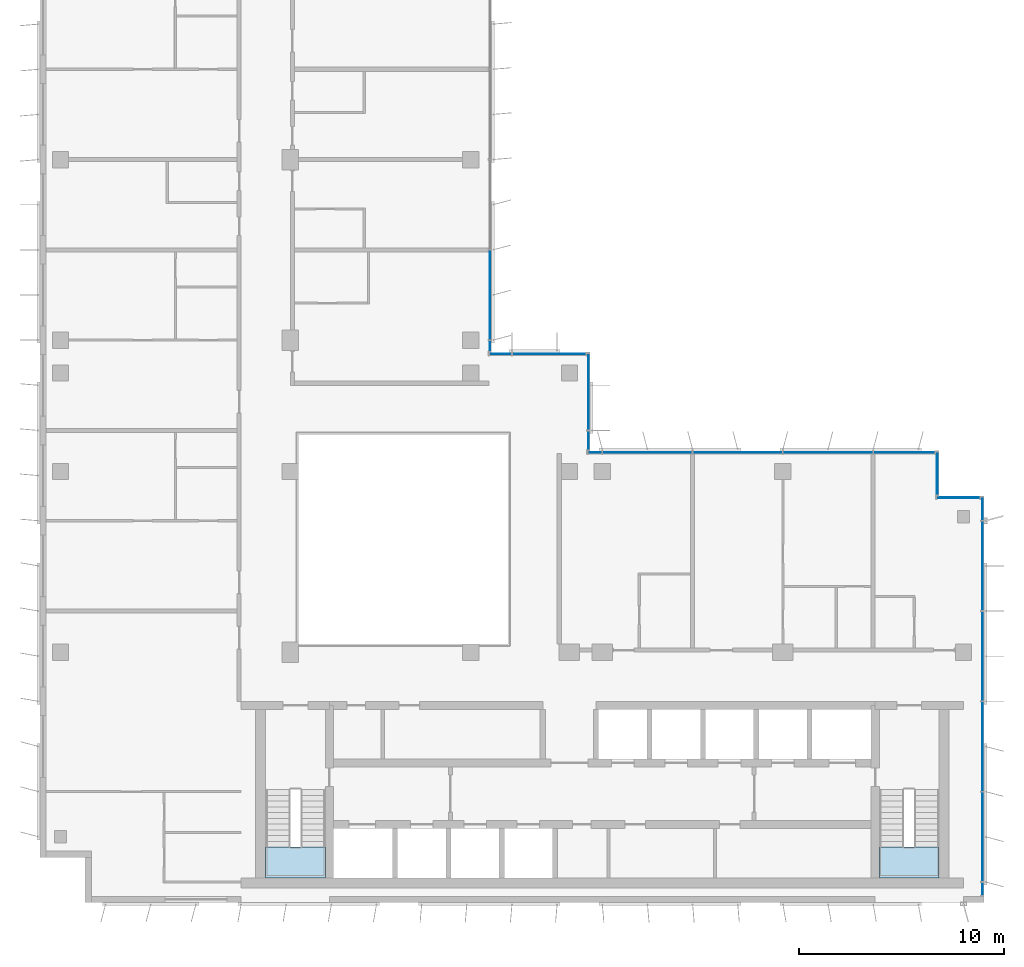
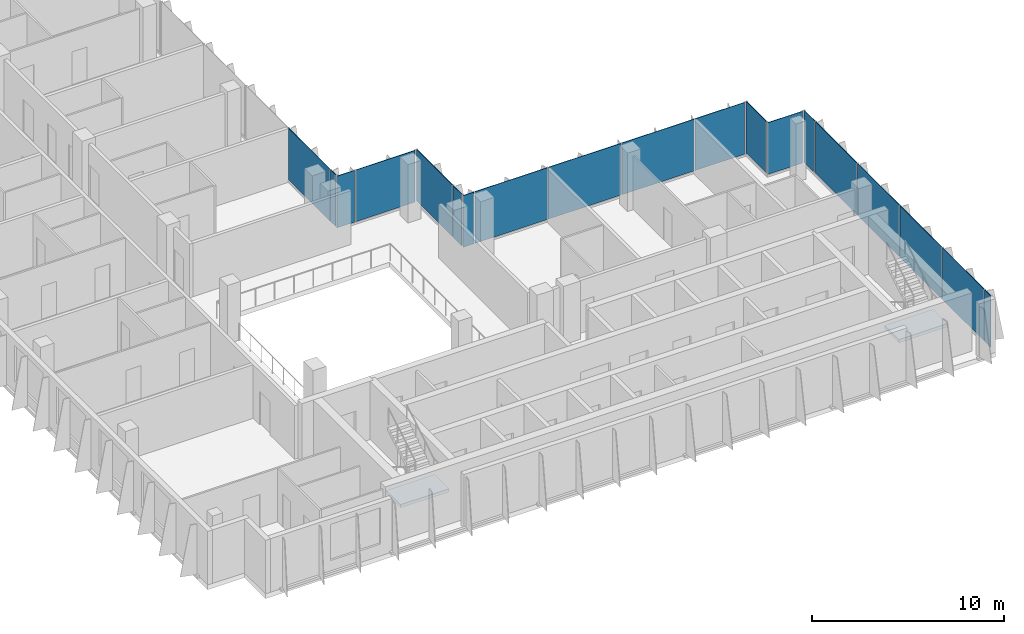
# One storey, part 7 of 16: 19 plates, 2 slabs, 9 elements without a shape of their own.
"""IFC4 building model written with IfcOpenShell, lengths in metres."""

from ifc_helpers import new_model, si_unit, direction, frame, origin, origin_2d, place, context, subcontext, project, spatial, polyline, rectangle, outline, extrude, source, transform, mapped, material, layer, layer_set, type_object, element, aggregate, save


model = new_model("IFC4")

# Units and contexts
model_context = context("Model", 3, precision=1e-05, world=origin(), true_north=direction((0.0, 1.0)))
body_context = subcontext(model_context, "Body", "Model", "MODEL_VIEW")
ifc_project = project(units=[si_unit("LENGTHUNIT", "METRE"), si_unit("AREAUNIT", "SQUARE_METRE"), si_unit("VOLUMEUNIT", "CUBIC_METRE"), si_unit("PLANEANGLEUNIT", "RADIAN"), si_unit("MASSUNIT", "GRAM", prefix="KILO")], contexts=[model_context])

# Site, building, storey
site_placement = place(None, origin())
site = spatial("IfcSite", under=ifc_project, at=site_placement, CompositionType="ELEMENT")
building_placement = place(site_placement, origin())
building = spatial("IfcBuilding", under=site, at=building_placement, Name="Kemantara Hotel Tower", CompositionType="ELEMENT")
storey_placement = place(building_placement, frame((0.0, 0.0, 283.300048828125)))
storey = spatial("IfcBuildingStorey", under=building, at=storey_placement, Name="L71", CompositionType="ELEMENT", Elevation=283.300048828125)

# Stair, slab
ifc_material_1 = material(Name="Concrete fc 40 MPa", Category="concrete")
stair_type = type_object("IfcStairType", Name="Stair 1200 wide 22 risers of 168 x 280 mm", PredefinedType="HALF_TURN_STAIR", material=ifc_material_1)
stair_1_placement = place(storey_placement, origin())
stair_1 = element("IfcStair", 1, at=stair_1_placement, inside=storey, type_object=stair_type, Name="L71 Exit stair ST1", PredefinedType="HALF_TURN_STAIR")
ifc_layer_1 = layer(ifc_material_1, 0.199951171875)
ifc_layer_set_1 = layer_set([ifc_layer_1], Name="Concrete fc 40 MPa")
slab_type = type_object("IfcSlabType", Name="Stair landing 200 mm", PredefinedType="LANDING", material=ifc_layer_set_1)
slab_1_placement = place(storey_placement, frame((0.0, 0.0, 1.64990234375)))
slab_1 = element("IfcSlab", 2, at=slab_1_placement, type_object=slab_type, Name="ST1 landing 1", PredefinedType="LANDING", context=body_context, shape_type="SweptSolid", body=[
    extrude(outline(polyline([(11.0, 2.699951171875), (11.0, 1.199951171875), (13.89990234375, 1.199951171875), (13.89990234375, 2.699951171875), (11.0, 2.699951171875)])), origin(), (0.0, 0.0, 1.0), 0.199951171875),
])
aggregate(stair_1, [slab_1])

stair_2_placement = place(storey_placement, origin())
stair_2 = element("IfcStair", 3, at=stair_2_placement, inside=storey, type_object=stair_type, Name="L71 Exit stair ST2", PredefinedType="HALF_TURN_STAIR")
slab_2_placement = place(storey_placement, frame((0.0, 0.0, 1.64990234375)))
slab_2 = element("IfcSlab", 4, at=slab_2_placement, type_object=slab_type, Name="ST2 landing 1", PredefinedType="LANDING", context=body_context, shape_type="SweptSolid", body=[
    extrude(outline(polyline([(40.89990234375, 2.699951171875), (40.89990234375, 1.199951171875), (43.800048828125, 1.199951171875), (43.800048828125, 2.699951171875), (40.89990234375, 2.699951171875)])), origin(), (0.0, 0.0, 1.0), 0.199951171875),
])
aggregate(stair_2, [slab_2])

# Curtain wall, plates
ifc_material_2 = material(Name="Low-E tinted double insulated glass 36 mm", Category="glass")
curtain_wall_type = type_object("IfcCurtainWallType", Name="TOWER CURTAIN WALL, FRONT FACES", PredefinedType="USERDEFINED", material=ifc_material_2)
curtain_wall_1_placement = place(storey_placement, origin())
curtain_wall_1 = element("IfcCurtainWall", 5, at=curtain_wall_1_placement, inside=storey, type_object=curtain_wall_type, Name="CW4 L71 T4-R09-1", ObjectType="TOWER CURTAIN WALL, FRONT FACES", PredefinedType="USERDEFINED")
ifc_layer_2 = layer(ifc_material_2, 0.035888671875)
ifc_layer_set_2 = layer_set([ifc_layer_2], Name="Low-E tinted double insulated glass 36 mm")
plate_type = type_object("IfcPlateType", Name="TOWER CURTAIN WALL, FRONT FACES PANEL", PredefinedType="CURTAIN_PANEL", material=ifc_layer_set_2)
shared_shape_1 = source(origin(), body_context, "Body", "SweptSolid", [
    extrude(rectangle(XDim=4.340087890625, YDim=0.035888671875, at=origin_2d()), origin(), (0.0, 0.0, 1.0), 3.280029296875),
])
plate_1_placement = place(storey_placement, frame((45.925048828125, 3.199951171875, 0.1201171875), z_axis=(0.0, 0.0, 1.0), x_axis=(0.0, 1.0, 0.0)))
plate_1 = element("IfcPlate", 6, at=plate_1_placement, type_object=plate_type, Name="CW4 glass panel T4-R09-1.2", PredefinedType="CURTAIN_PANEL", context=body_context, shape_type="MappedRepresentation", body=[
    mapped(shared_shape_1, transform((0.0, 0.0, 0.0))),
])
plate_2_placement = place(storey_placement, frame((45.925048828125, 7.60009765625, 0.1201171875), z_axis=(0.0, 0.0, 1.0), x_axis=(0.0, 1.0, 0.0)))
plate_2 = element("IfcPlate", 7, at=plate_2_placement, type_object=plate_type, Name="CW4 glass panel T4-R09-1.3", PredefinedType="CURTAIN_PANEL", context=body_context, shape_type="MappedRepresentation", body=[
    mapped(shared_shape_1, transform((0.0, 0.0, 0.0))),
])
plate_3_placement = place(storey_placement, frame((45.925048828125, 12.0, 0.1201171875), z_axis=(0.0, 0.0, 1.0), x_axis=(0.0, 1.0, 0.0)))
plate_3 = element("IfcPlate", 8, at=plate_3_placement, type_object=plate_type, Name="CW4 glass panel T4-R09-1.4", PredefinedType="CURTAIN_PANEL", context=body_context, shape_type="MappedRepresentation", body=[
    mapped(shared_shape_1, transform((0.0, 0.0, 0.0))),
])
plate_4_placement = place(storey_placement, frame((45.925048828125, 16.39990234375, 0.1201171875), z_axis=(0.0, 0.0, 1.0), x_axis=(0.0, 1.0, 0.0)))
plate_4 = element("IfcPlate", 9, at=plate_4_placement, type_object=plate_type, Name="CW4 glass panel T4-R09-1.5", PredefinedType="CURTAIN_PANEL", context=body_context, shape_type="MappedRepresentation", body=[
    mapped(shared_shape_1, transform((0.0, 0.0, 0.0))),
])

curtain_wall_2_placement = place(storey_placement, origin())
curtain_wall_2 = element("IfcCurtainWall", 10, at=curtain_wall_2_placement, inside=storey, type_object=curtain_wall_type, Name="CW4 L71 T4-R12-1", ObjectType="TOWER CURTAIN WALL, FRONT FACES", PredefinedType="USERDEFINED")
plate_5_placement = place(storey_placement, frame((38.39990234375, 21.925048828125, 0.1201171875), z_axis=(0.0, 0.0, 1.0), x_axis=(-1.0, 0.0, 0.0)))
plate_5 = element("IfcPlate", 11, at=plate_5_placement, type_object=plate_type, Name="CW4 glass panel T4-R12-1.2", PredefinedType="CURTAIN_PANEL", context=body_context, shape_type="MappedRepresentation", body=[
    mapped(shared_shape_1, transform((0.0, 0.0, 0.0))),
])
plate_6_placement = place(storey_placement, frame((34.0, 21.925048828125, 0.1201171875), z_axis=(0.0, 0.0, 1.0), x_axis=(-1.0, 0.0, 0.0)))
plate_6 = element("IfcPlate", 12, at=plate_6_placement, type_object=plate_type, Name="CW4 glass panel T4-R12-1.3", PredefinedType="CURTAIN_PANEL", context=body_context, shape_type="MappedRepresentation", body=[
    mapped(shared_shape_1, transform((0.0, 0.0, 0.0))),
])
plate_7_placement = place(storey_placement, frame((29.60009765625, 21.925048828125, 0.1201171875), z_axis=(0.0, 0.0, 1.0), x_axis=(-1.0, 0.0, 0.0)))
plate_7 = element("IfcPlate", 13, at=plate_7_placement, type_object=plate_type, Name="CW4 glass panel T4-R12-1.4", PredefinedType="CURTAIN_PANEL", context=body_context, shape_type="MappedRepresentation", body=[
    mapped(shared_shape_1, transform((0.0, 0.0, 0.0))),
])

# Curtain wall, plate
curtain_wall_3_placement = place(storey_placement, origin())
curtain_wall_3 = element("IfcCurtainWall", 14, at=curtain_wall_3_placement, inside=storey, type_object=curtain_wall_type, Name="CW4 L71 T4-R15-1", ObjectType="TOWER CURTAIN WALL, FRONT FACES", PredefinedType="USERDEFINED")
plate_8_placement = place(storey_placement, frame((21.925048828125, 29.60009765625, 0.1201171875), z_axis=(0.0, 0.0, 1.0), x_axis=(0.0, 1.0, 0.0)))
plate_8 = element("IfcPlate", 15, at=plate_8_placement, type_object=plate_type, Name="CW4 glass panel T4-R15-1.2", PredefinedType="CURTAIN_PANEL", context=body_context, shape_type="MappedRepresentation", body=[
    mapped(shared_shape_1, transform((0.0, 0.0, 0.0))),
])

curtain_wall_4_placement = place(storey_placement, origin())
curtain_wall_4 = element("IfcCurtainWall", 16, at=curtain_wall_4_placement, inside=storey, type_object=curtain_wall_type, Name="CW4 L71 T4-R10-1", ObjectType="TOWER CURTAIN WALL, FRONT FACES", PredefinedType="USERDEFINED")
shared_shape_2 = source(origin(), body_context, "Body", "SweptSolid", [
    extrude(rectangle(XDim=2.080078125, YDim=0.035888671875, at=origin_2d()), origin(), (0.0, 0.0, 1.0), 3.280029296875),
])
plate_9_placement = place(storey_placement, frame((44.75, 19.72509765625, 0.1201171875), z_axis=(0.0, 0.0, 1.0), x_axis=(-1.0, 0.0, 0.0)))
plate_9 = element("IfcPlate", 17, at=plate_9_placement, type_object=plate_type, Name="CW4 glass panel T4-R10-1.1", PredefinedType="CURTAIN_PANEL", context=body_context, shape_type="MappedRepresentation", body=[
    mapped(shared_shape_2, transform((0.0, 0.0, 0.0))),
])
aggregate(curtain_wall_4, [plate_9])

curtain_wall_5_placement = place(storey_placement, origin())
curtain_wall_5 = element("IfcCurtainWall", 18, at=curtain_wall_5_placement, inside=storey, type_object=curtain_wall_type, Name="CW4 L71 T4-R11-1", ObjectType="TOWER CURTAIN WALL, FRONT FACES", PredefinedType="USERDEFINED")
plate_10_placement = place(storey_placement, frame((43.72509765625, 20.89990234375, 0.1201171875), z_axis=(0.0, 0.0, 1.0), x_axis=(0.0, 1.0, 0.0)))
plate_10 = element("IfcPlate", 19, at=plate_10_placement, type_object=plate_type, Name="CW4 glass panel T4-R11-1.1", PredefinedType="CURTAIN_PANEL", context=body_context, shape_type="MappedRepresentation", body=[
    mapped(shared_shape_2, transform((0.0, 0.0, 0.0))),
])
aggregate(curtain_wall_5, [plate_10])

# Plate
shared_shape_3 = source(origin(), body_context, "Body", "SweptSolid", [
    extrude(rectangle(XDim=2.9599609375, YDim=0.035888671875, at=origin_2d()), origin(), (0.0, 0.0, 1.0), 3.280029296875),
])
plate_11_placement = place(storey_placement, frame((42.110107421875, 21.925048828125, 0.1201171875), z_axis=(0.0, 0.0, 1.0), x_axis=(-1.0, 0.0, 0.0)))
plate_11 = element("IfcPlate", 20, at=plate_11_placement, type_object=plate_type, Name="CW4 glass panel T4-R12-1.1", PredefinedType="CURTAIN_PANEL", context=body_context, shape_type="MappedRepresentation", body=[
    mapped(shared_shape_3, transform((0.0, 0.0, 0.0))),
])

shared_shape_4 = source(origin(), body_context, "Body", "SweptSolid", [
    extrude(rectangle(XDim=0.659912109375, YDim=0.035888671875, at=origin_2d()), origin(), (0.0, 0.0, 1.0), 3.280029296875),
])
plate_12_placement = place(storey_placement, frame((27.0400390625, 21.925048828125, 0.1201171875), z_axis=(0.0, 0.0, 1.0), x_axis=(-1.0, 0.0, 0.0)))
plate_12 = element("IfcPlate", 21, at=plate_12_placement, type_object=plate_type, Name="CW4 glass panel T4-R12-1.5", PredefinedType="CURTAIN_PANEL", context=body_context, shape_type="MappedRepresentation", body=[
    mapped(shared_shape_4, transform((0.0, 0.0, 0.0))),
])

aggregate(curtain_wall_2, [plate_11, plate_5, plate_6, plate_7, plate_12])

shared_shape_5 = source(origin(), body_context, "Body", "SweptSolid", [
    extrude(rectangle(XDim=0.510009765625, YDim=0.035888671875, at=origin_2d()), origin(), (0.0, 0.0, 1.0), 3.280029296875),
])
plate_13_placement = place(storey_placement, frame((21.925048828125, 27.114990234375, 0.1201171875), z_axis=(0.0, 0.0, 1.0), x_axis=(0.0, 1.0, 0.0)))
plate_13 = element("IfcPlate", 22, at=plate_13_placement, type_object=plate_type, Name="CW4 glass panel T4-R15-1.1", PredefinedType="CURTAIN_PANEL", context=body_context, shape_type="MappedRepresentation", body=[
    mapped(shared_shape_5, transform((0.0, 0.0, 0.0))),
])

aggregate(curtain_wall_3, [plate_13, plate_8])

# Curtain wall, plate
curtain_wall_6_placement = place(storey_placement, origin())
curtain_wall_6 = element("IfcCurtainWall", 23, at=curtain_wall_6_placement, inside=storey, type_object=curtain_wall_type, Name="CW4 L71 T4-R13-1", ObjectType="TOWER CURTAIN WALL, FRONT FACES", PredefinedType="USERDEFINED")
shared_shape_6 = source(origin(), body_context, "Body", "SweptSolid", [
    extrude(rectangle(XDim=0.909912109375, YDim=0.035888671875, at=origin_2d()), origin(), (0.0, 0.0, 1.0), 3.280029296875),
])
plate_14_placement = place(storey_placement, frame((26.72509765625, 22.514892578125, 0.1201171875), z_axis=(0.0, 0.0, 1.0), x_axis=(0.0, 1.0, 0.0)))
plate_14 = element("IfcPlate", 24, at=plate_14_placement, type_object=plate_type, Name="CW4 glass panel T4-R13-1.1", PredefinedType="CURTAIN_PANEL", context=body_context, shape_type="MappedRepresentation", body=[
    mapped(shared_shape_6, transform((0.0, 0.0, 0.0))),
])

# Plate
shared_shape_7 = source(origin(), body_context, "Body", "SweptSolid", [
    extrude(rectangle(XDim=1.110107421875, YDim=0.035888671875, at=origin_2d()), origin(), (0.0, 0.0, 1.0), 3.280029296875),
])
plate_15_placement = place(storey_placement, frame((45.925048828125, 19.18505859375, 0.1201171875), z_axis=(0.0, 0.0, 1.0), x_axis=(0.0, 1.0, 0.0)))
plate_15 = element("IfcPlate", 25, at=plate_15_placement, type_object=plate_type, Name="CW4 glass panel T4-R09-1.6", PredefinedType="CURTAIN_PANEL", context=body_context, shape_type="MappedRepresentation", body=[
    mapped(shared_shape_7, transform((0.0, 0.0, 0.0))),
])

shared_shape_8 = source(origin(), body_context, "Body", "SweptSolid", [
    extrude(rectangle(XDim=3.7099609375, YDim=0.035888671875, at=origin_2d()), origin(), (0.0, 0.0, 1.0), 3.280029296875),
])
plate_16_placement = place(storey_placement, frame((26.72509765625, 24.885009765625, 0.1201171875), z_axis=(0.0, 0.0, 1.0), x_axis=(0.0, 1.0, 0.0)))
plate_16 = element("IfcPlate", 26, at=plate_16_placement, type_object=plate_type, Name="CW4 glass panel T4-R13-1.2", PredefinedType="CURTAIN_PANEL", context=body_context, shape_type="MappedRepresentation", body=[
    mapped(shared_shape_8, transform((0.0, 0.0, 0.0))),
])

aggregate(curtain_wall_6, [plate_14, plate_16])

# Curtain wall, plates
curtain_wall_7_placement = place(storey_placement, origin())
curtain_wall_7 = element("IfcCurtainWall", 27, at=curtain_wall_7_placement, inside=storey, type_object=curtain_wall_type, Name="CW4 L71 T4-R14-1", ObjectType="TOWER CURTAIN WALL, FRONT FACES", PredefinedType="USERDEFINED")
shared_shape_9 = source(origin(), body_context, "Body", "SweptSolid", [
    extrude(rectangle(XDim=3.56005859375, YDim=0.035888671875, at=origin_2d()), origin(), (0.0, 0.0, 1.0), 3.280029296875),
])
plate_17_placement = place(storey_placement, frame((24.81005859375, 26.72509765625, 0.1201171875), z_axis=(0.0, 0.0, 1.0), x_axis=(-1.0, 0.0, 0.0)))
plate_17 = element("IfcPlate", 28, at=plate_17_placement, type_object=plate_type, Name="CW4 glass panel T4-R14-1.1", PredefinedType="CURTAIN_PANEL", context=body_context, shape_type="MappedRepresentation", body=[
    mapped(shared_shape_9, transform((0.0, 0.0, 0.0))),
])
shared_shape_10 = source(origin(), body_context, "Body", "SweptSolid", [
    extrude(rectangle(XDim=1.06005859375, YDim=0.035888671875, at=origin_2d()), origin(), (0.0, 0.0, 1.0), 3.280029296875),
])
plate_18_placement = place(storey_placement, frame((22.43994140625, 26.72509765625, 0.1201171875), z_axis=(0.0, 0.0, 1.0), x_axis=(-1.0, 0.0, 0.0)))
plate_18 = element("IfcPlate", 29, at=plate_18_placement, type_object=plate_type, Name="CW4 glass panel T4-R14-1.2", PredefinedType="CURTAIN_PANEL", context=body_context, shape_type="MappedRepresentation", body=[
    mapped(shared_shape_10, transform((0.0, 0.0, 0.0))),
])
aggregate(curtain_wall_7, [plate_17, plate_18])

# Plate
shared_shape_11 = source(origin(), body_context, "Body", "SweptSolid", [
    extrude(rectangle(XDim=0.610107421875, YDim=0.035888671875, at=origin_2d()), origin(), (0.0, 0.0, 1.0), 3.280029296875),
])
plate_19_placement = place(storey_placement, frame((45.925048828125, 0.6650390625, 0.1201171875), z_axis=(0.0, 0.0, 1.0), x_axis=(0.0, 1.0, 0.0)))
plate_19 = element("IfcPlate", 30, at=plate_19_placement, type_object=plate_type, Name="CW4 glass panel T4-R09-1.1", PredefinedType="CURTAIN_PANEL", context=body_context, shape_type="MappedRepresentation", body=[
    mapped(shared_shape_11, transform((0.0, 0.0, 0.0))),
])

aggregate(curtain_wall_1, [plate_19, plate_1, plate_2, plate_3, plate_4, plate_15])

save(model, "model.ifc")
